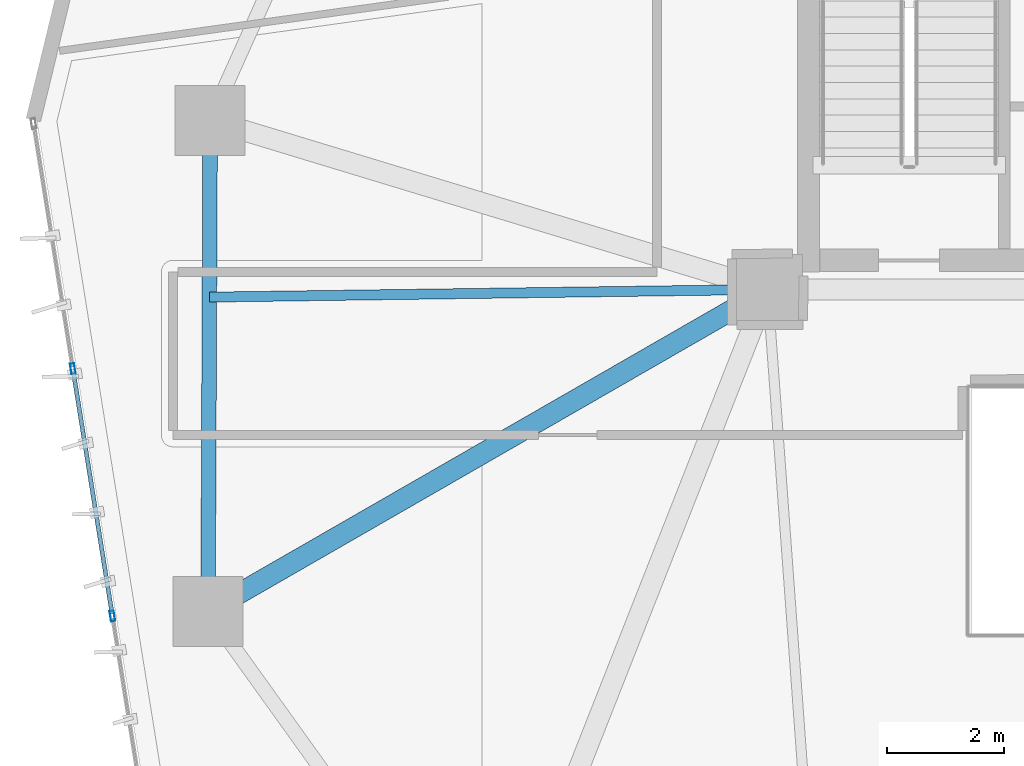
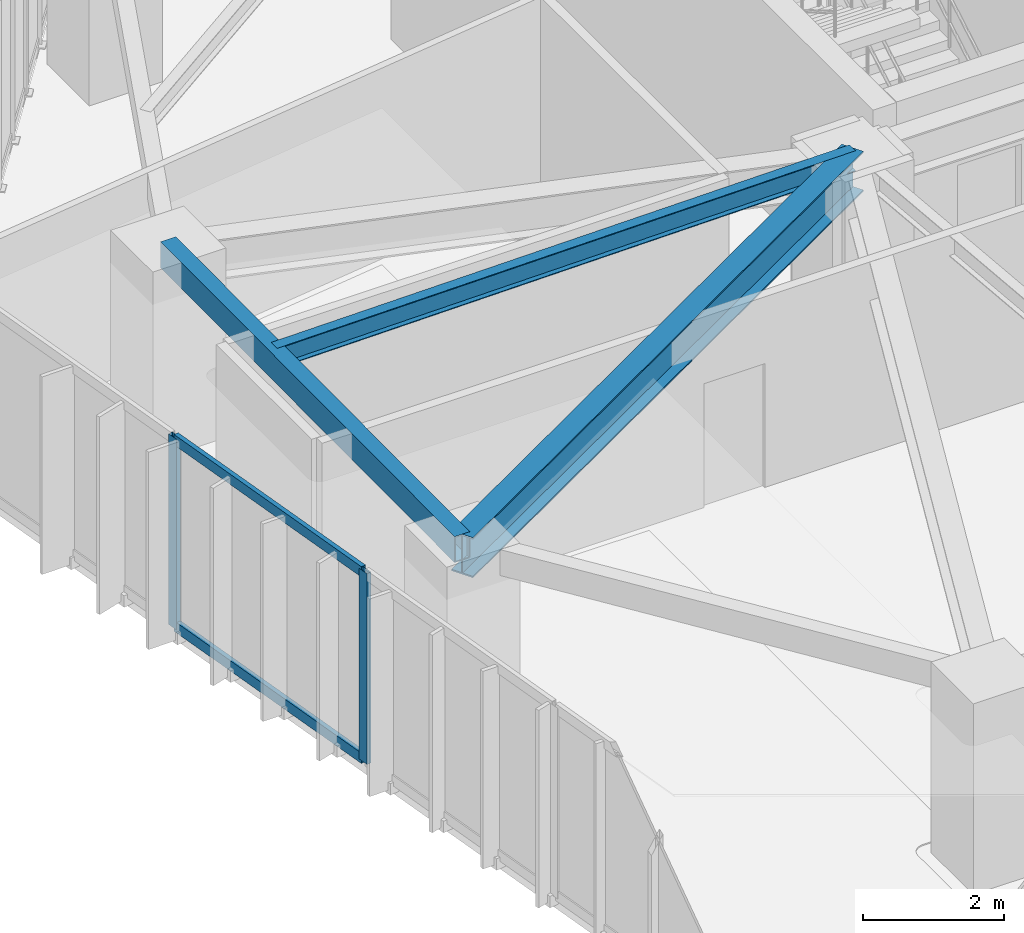
# One storey, part 4 of 24: 4 members, 3 beams, 1 element without a shape of its own.
"""IFC4 building model written with IfcOpenShell, lengths in metres."""

from ifc_helpers import new_model, si_unit, direction, frame, origin, origin_2d, place, context, subcontext, project, spatial, hollow_rectangle, i_section, extrude, source, transform, mapped, material, layer, layer_set, material_profile, profile_set, type_object, type_shapes, element, aggregate, save


model = new_model("IFC4")

# Units and contexts
model_context = context("Model", 3, precision=1e-05, world=origin(), true_north=direction((0.0, 1.0)))
body_context = subcontext(model_context, "Body", "Model", "MODEL_VIEW")
ifc_project = project(units=[si_unit("LENGTHUNIT", "METRE"), si_unit("AREAUNIT", "SQUARE_METRE"), si_unit("VOLUMEUNIT", "CUBIC_METRE"), si_unit("PLANEANGLEUNIT", "RADIAN"), si_unit("MASSUNIT", "GRAM", prefix="KILO")], contexts=[model_context])

# Site, building, storey
site_placement = place(None, origin())
site = spatial("IfcSite", under=ifc_project, at=site_placement, CompositionType="ELEMENT")
building_placement = place(site_placement, origin())
building = spatial("IfcBuilding", under=site, at=building_placement, Name="Talar Marvaseh", CompositionType="ELEMENT")
storey_placement = place(building_placement, frame((0.0, 0.0, 111.0)))
storey = spatial("IfcBuildingStorey", under=building, at=storey_placement, Name="L28", CompositionType="ELEMENT", Elevation=111.0)

# Beams
ifc_material_1 = material(Name="Steel S355", Category="steel")
ifc_material_profile_1 = material_profile(ifc_material_1, hollow_rectangle(XDim=0.25, YDim=0.449951171875, WallThickness=0.01611328125, at=origin_2d()), Name="RHS450x250x16")
ifc_profile_set_1 = profile_set([ifc_material_profile_1], Name="Steel S355")
beam_type_1 = type_object("IfcBeamType", Name="Zone 2 Perimeter Spandrel Beam RHS450x250x16", PredefinedType="SPANDREL", material=ifc_profile_set_1)
beam_1_placement = place(storey_placement, frame((9.10107421875, 19.97705078125, 3.0849609375), z_axis=(0.004375628226, 0.999990426893, 0.0), x_axis=(-0.999990426893, 0.004375628226, 0.0)))
element("IfcBeam", 1, at=beam_1_placement, inside=storey, type_object=beam_type_1, Name="L28 Zone 2 Perimeter Spandrel Beam RHS450x250x16", PredefinedType="SPANDREL", context=body_context, shape_type="SweptSolid", body=[
    extrude(hollow_rectangle(XDim=0.25, YDim=0.449951171875, WallThickness=0.01611328125, at=origin_2d()), origin(), (0.0, 0.0, 1.0), 8.425048828125),
])
ifc_material_profile_2 = material_profile(ifc_material_1, i_section(OverallWidth=0.35498046875, OverallDepth=0.695068359375, WebThickness=0.015380859375, FlangeThickness=0.02490234375, at=origin_2d()), Name="W690x217")
ifc_profile_set_2 = profile_set([ifc_material_profile_2], Name="Steel S355")
beam_type_2 = type_object("IfcBeamType", Name="Zone 2 Radial Floor Girder W690x217", PredefinedType="BEAM", material=ifc_profile_set_2)
beam_2_placement = place(storey_placement, frame((9.10107421875, 19.97705078125, 2.96240234375), z_axis=(0.866765990926, 0.498715065919, 0.0), x_axis=(-0.498715065919, 0.866765990926, 0.0)))
element("IfcBeam", 2, at=beam_2_placement, inside=storey, type_object=beam_type_2, Name="L28 Zone 2 Radial Floor Girder W690x217", PredefinedType="BEAM", context=body_context, shape_type="SweptSolid", body=[
    extrude(i_section(OverallWidth=0.35498046875, OverallDepth=0.695068359375, WebThickness=0.015380859375, FlangeThickness=0.02490234375, at=origin_2d()), origin(), (0.0, 0.0, 1.0), 11.074462890625),
])
ifc_material_profile_3 = material_profile(ifc_material_1, i_section(OverallWidth=0.172119140625, OverallDepth=0.35791015625, WebThickness=0.0078125, FlangeThickness=0.01318359375, at=origin_2d()), Name="W360x57")
ifc_profile_set_3 = profile_set([ifc_material_profile_3], Name="Steel S355")
beam_type_3 = type_object("IfcBeamType", Name="Zone 2 Secondary Floor Joist W360x57", PredefinedType="JOIST", material=ifc_profile_set_3)
beam_3_placement = place(storey_placement, frame((9.124755859375, 25.368896484375, 3.131103515625), z_axis=(0.999906277829, 0.013690710637, 0.0), x_axis=(-0.013690710637, 0.999906277829, 0.0)))
element("IfcBeam", 3, at=beam_3_placement, inside=storey, type_object=beam_type_3, Name="L28 Zone 2 Secondary Floor Joist W360x57", PredefinedType="JOIST", context=body_context, shape_type="SweptSolid", body=[
    extrude(i_section(OverallWidth=0.172119140625, OverallDepth=0.35791015625, WebThickness=0.0078125, FlangeThickness=0.01318359375, at=origin_2d()), origin(), (0.0, 0.0, 1.0), 9.576171875),
])

# Curtain wall, members
ifc_material_2 = material(Name="Architectural Aluminium", Category="aluminium")
ifc_layer = layer(ifc_material_2, 0.199951171875)
ifc_layer_set = layer_set([ifc_layer], Name="Architectural Aluminium")
curtain_wall_type = type_object("IfcCurtainWallType", Name="Unitised Acoustic Library Curtain Wall Z2", PredefinedType="NOTDEFINED", material=ifc_layer_set)
curtain_wall_placement = place(storey_placement, origin())
curtain_wall = element("IfcCurtainWall", 4, at=curtain_wall_placement, inside=storey, type_object=curtain_wall_type, Name="L28 Unitised Acoustic Library Curtain Wall Z2", PredefinedType="NOTDEFINED")
ifc_material_profile_4 = material_profile(ifc_material_2, hollow_rectangle(XDim=0.074951171875, YDim=0.179931640625, WallThickness=0.0048828125, at=origin_2d()), Name="RHS180x75x5")
ifc_profile_set_4 = profile_set([ifc_material_profile_4], Name="Architectural Aluminium")
member_type_1 = type_object("IfcMemberType", Name="Unitised Curtain Wall Standard Mullion RHS180x75x5", PredefinedType="MULLION", material=ifc_profile_set_4)
shared_shape_1 = source(origin(), body_context, "Body", "SweptSolid", [
    extrude(hollow_rectangle(XDim=0.074951171875, YDim=0.179931640625, WallThickness=0.0048828125, at=origin_2d()), origin(), (0.0, 0.0, 1.0), 3.31005859375),
])
type_shapes(member_type_1, [shared_shape_1])
member_1_placement = place(storey_placement, frame((7.46142578125, 19.896728515625, 0.0), z_axis=(0.0, 0.0, 1.0), x_axis=(-0.987423965533, -0.15809463081, 0.0)))
member_1 = element("IfcMember", 5, at=member_1_placement, type_object=member_type_1, Name="CW-Z2 mullion 3", PredefinedType="MULLION", context=body_context, shape_type="MappedRepresentation", body=[
    mapped(shared_shape_1, transform((0.0, 0.0, 0.0), x_axis=(1.0, 0.0, 0.0), y_axis=(0.0, 1.0, 0.0), z_axis=(0.0, 0.0, 1.0), scale=1.0)),
])
member_2_placement = place(storey_placement, frame((6.781982421875, 24.140625, 0.0), z_axis=(0.0, 0.0, 1.0), x_axis=(-0.987423965533, -0.15809463081, 0.0)))
member_2 = element("IfcMember", 6, at=member_2_placement, type_object=member_type_1, Name="CW-Z2 mullion 4", PredefinedType="MULLION", context=body_context, shape_type="MappedRepresentation", body=[
    mapped(shared_shape_1, transform((0.0, 0.0, 0.0), x_axis=(1.0, 0.0, 0.0), y_axis=(0.0, 1.0, 0.0), z_axis=(0.0, 0.0, 1.0), scale=1.0)),
])
ifc_material_profile_5 = material_profile(ifc_material_2, hollow_rectangle(XDim=0.074951171875, YDim=0.179931640625, WallThickness=0.0048828125, at=origin_2d()), Name="RHS180x75x5")
ifc_profile_set_5 = profile_set([ifc_material_profile_5], Name="Architectural Aluminium")
member_type_2 = type_object("IfcMemberType", Name="Unitised Curtain Wall Transom RHS180x75x5", PredefinedType="USERDEFINED", material=ifc_profile_set_5)
shared_shape_2 = source(origin(), body_context, "Body", "SweptSolid", [
    extrude(hollow_rectangle(XDim=0.074951171875, YDim=0.179931640625, WallThickness=0.0048828125, at=origin_2d()), origin(), (0.0, 0.0, 1.0), 4.222900390625),
])
type_shapes(member_type_2, [shared_shape_2])
member_3_placement = place(storey_placement, frame((7.45556640625, 19.933837890625, 0.03759765625), z_axis=(-0.158123536899, 0.987419336999, 0.0), x_axis=(-0.987419336999, -0.158123536899, 0.0)))
member_3 = element("IfcMember", 7, at=member_3_placement, type_object=member_type_2, Name="CW-Z2 transom 3.1", ObjectType="TRANSOM", PredefinedType="USERDEFINED", context=body_context, shape_type="MappedRepresentation", body=[
    mapped(shared_shape_2, transform((0.0, 0.0, 0.0), x_axis=(1.0, 0.0, 0.0), y_axis=(0.0, 1.0, 0.0), z_axis=(0.0, 0.0, 1.0), scale=1.0)),
])
member_4_placement = place(storey_placement, frame((7.45556640625, 19.933837890625, 3.2724609375), z_axis=(-0.158123536899, 0.987419336999, 0.0), x_axis=(-0.987419336999, -0.158123536899, 0.0)))
member_4 = element("IfcMember", 8, at=member_4_placement, type_object=member_type_2, Name="CW-Z2 transom 3.2", ObjectType="TRANSOM", PredefinedType="USERDEFINED", context=body_context, shape_type="MappedRepresentation", body=[
    mapped(shared_shape_2, transform((0.0, 0.0, 0.0), x_axis=(1.0, 0.0, 0.0), y_axis=(0.0, 1.0, 0.0), z_axis=(0.0, 0.0, 1.0), scale=1.0)),
])
aggregate(curtain_wall, [member_1, member_2, member_3, member_4])

save(model, "model.ifc")
